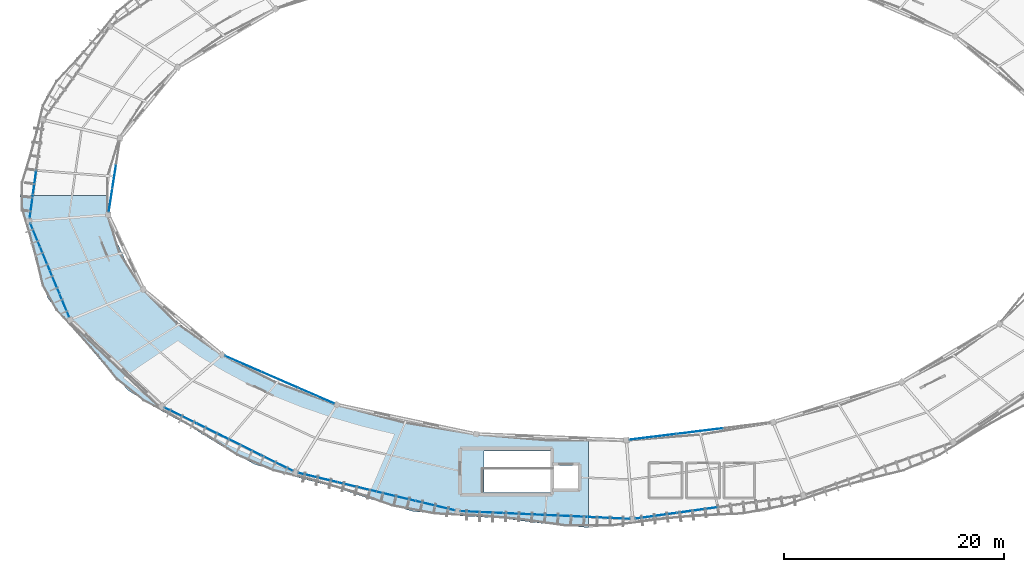
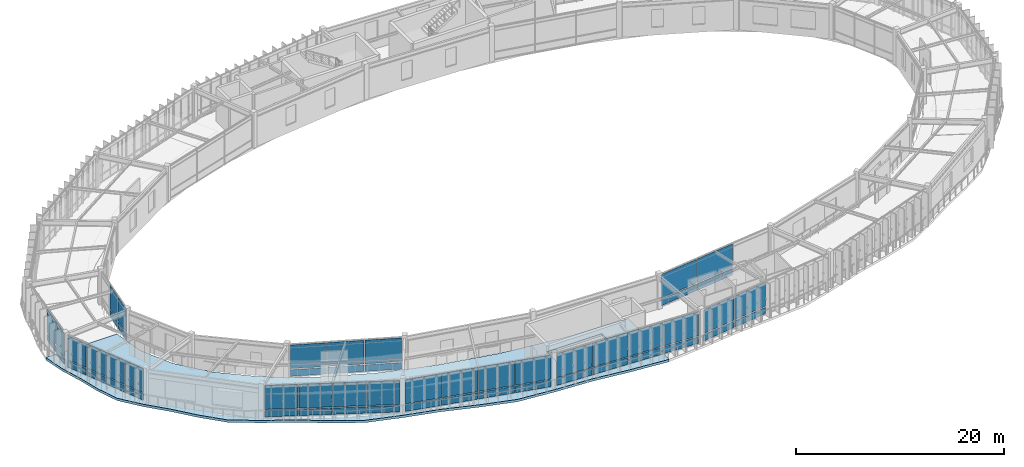
# One storey, part 64 of 78: 54 plates, 1 slab, 9 elements without a shape of their own.
"""IFC4 building model written with IfcOpenShell, lengths in metres."""

from ifc_helpers import new_model, si_unit, direction, frame, origin, origin_2d, place, context, subcontext, project, spatial, polyline, rectangle, outline, extrude, material, layer, layer_set, type_object, element, aggregate, save


model = new_model("IFC4")

# Units and contexts
model_context = context("Model", 3, precision=1e-05, world=origin(), true_north=direction((0.0, 1.0)))
body_context = subcontext(model_context, "Body", "Model", "MODEL_VIEW")
ifc_project = project(units=[si_unit("LENGTHUNIT", "METRE"), si_unit("AREAUNIT", "SQUARE_METRE"), si_unit("VOLUMEUNIT", "CUBIC_METRE"), si_unit("PLANEANGLEUNIT", "RADIAN"), si_unit("MASSUNIT", "GRAM", prefix="KILO"), si_unit("THERMODYNAMICTEMPERATUREUNIT", "KELVIN"), si_unit("POWERUNIT", "WATT")], contexts=[model_context])

# Site, building, storey
site_placement = place(None, origin())
site = spatial("IfcSite", under=ifc_project, at=site_placement, CompositionType="ELEMENT")
building_placement = place(site_placement, origin())
building = spatial("IfcBuilding", under=site, at=building_placement, Name="Darbajah Civic Hall", CompositionType="ELEMENT")
storey_placement = place(building_placement, frame((0.0, 0.0, 26.39990234375)))
storey = spatial("IfcBuildingStorey", under=building, at=storey_placement, Name="L06", CompositionType="ELEMENT", Elevation=26.39990234375)

# Curtain wall, plates
ifc_material_1 = material(Name="Anodised Bronze Aluminium and Low-E Glazing", Category="aluminium")
curtain_wall_type_1 = type_object("IfcCurtainWallType", Name="Unitised Curtain Wall CW-84 15400x3900", PredefinedType="USERDEFINED", material=ifc_material_1)
curtain_wall_1_placement = place(storey_placement, origin())
curtain_wall_1 = element("IfcCurtainWall", 1, at=curtain_wall_1_placement, inside=storey, type_object=curtain_wall_type_1, Name="L06 unitised curtain wall CW-V1O-L06-14", ObjectType="UNITISED CURTAIN WALL", PredefinedType="USERDEFINED")
ifc_material_2 = material(Name="Low-E Solar Control Double Glazing", Category="glass")
ifc_layer_1 = layer(ifc_material_2, 0.02392578125, Name="Low-E Solar Control Double Glazing")
ifc_layer_set_1 = layer_set([ifc_layer_1], Name="Low-E Solar Control Double Glazing")
plate_type_1 = type_object("IfcPlateType", Name="Solar Double Glazing 24mm", PredefinedType="CURTAIN_PANEL", material=ifc_layer_set_1)
plate_1_placement = place(storey_placement, frame((79.37158203125, 61.01611328125, 0.10009765625), z_axis=(0.0, 0.0, 1.0), x_axis=(0.998962637241, -0.045537340693, 0.0)))
plate_1 = element("IfcPlate", 2, at=plate_1_placement, type_object=plate_type_1, Name="CW-V1O-L06-14 glazed panel 1.1", PredefinedType="CURTAIN_PANEL", context=body_context, shape_type="SweptSolid", body=[
    extrude(rectangle(XDim=3.789794921875, YDim=0.02392578125, at=origin_2d()), origin(), (0.0, 0.0, 1.0), 0.800048828125),
])
plate_2_placement = place(storey_placement, frame((79.37158203125, 61.01611328125, 1.0), z_axis=(0.0, 0.0, 1.0), x_axis=(0.998962637241, -0.045537340693, 0.0)))
plate_2 = element("IfcPlate", 3, at=plate_2_placement, type_object=plate_type_1, Name="CW-V1O-L06-14 glazed panel 1.2", PredefinedType="CURTAIN_PANEL", context=body_context, shape_type="SweptSolid", body=[
    extrude(rectangle(XDim=3.789794921875, YDim=0.02392578125, at=origin_2d()), origin(), (0.0, 0.0, 1.0), 2.820068359375),
])
plate_3_placement = place(storey_placement, frame((83.222412109375, 60.840576171875, 0.10009765625), z_axis=(0.0, 0.0, 1.0), x_axis=(0.998962637241, -0.045537340693, 0.0)))
plate_3 = element("IfcPlate", 4, at=plate_3_placement, type_object=plate_type_1, Name="CW-V1O-L06-14 glazed panel 2.1", PredefinedType="CURTAIN_PANEL", context=body_context, shape_type="SweptSolid", body=[
    extrude(rectangle(XDim=3.789794921875, YDim=0.02392578125, at=origin_2d()), origin(), (0.0, 0.0, 1.0), 0.800048828125),
])
plate_4_placement = place(storey_placement, frame((83.222412109375, 60.840576171875, 1.0), z_axis=(0.0, 0.0, 1.0), x_axis=(0.998962637241, -0.045537340693, 0.0)))
plate_4 = element("IfcPlate", 5, at=plate_4_placement, type_object=plate_type_1, Name="CW-V1O-L06-14 glazed panel 2.2", PredefinedType="CURTAIN_PANEL", context=body_context, shape_type="SweptSolid", body=[
    extrude(rectangle(XDim=3.789794921875, YDim=0.02392578125, at=origin_2d()), origin(), (0.0, 0.0, 1.0), 2.820068359375),
])
plate_5_placement = place(storey_placement, frame((87.0732421875, 60.665283203125, 0.10009765625), z_axis=(0.0, 0.0, 1.0), x_axis=(0.998962637241, -0.045537340693, 0.0)))
plate_5 = element("IfcPlate", 6, at=plate_5_placement, type_object=plate_type_1, Name="CW-V1O-L06-14 glazed panel 3.1", PredefinedType="CURTAIN_PANEL", context=body_context, shape_type="SweptSolid", body=[
    extrude(rectangle(XDim=3.789794921875, YDim=0.02392578125, at=origin_2d()), origin(), (0.0, 0.0, 1.0), 0.800048828125),
])
plate_6_placement = place(storey_placement, frame((87.0732421875, 60.665283203125, 1.0), z_axis=(0.0, 0.0, 1.0), x_axis=(0.998962637241, -0.045537340693, 0.0)))
plate_6 = element("IfcPlate", 7, at=plate_6_placement, type_object=plate_type_1, Name="CW-V1O-L06-14 glazed panel 3.2", PredefinedType="CURTAIN_PANEL", context=body_context, shape_type="SweptSolid", body=[
    extrude(rectangle(XDim=3.789794921875, YDim=0.02392578125, at=origin_2d()), origin(), (0.0, 0.0, 1.0), 2.820068359375),
])
plate_7_placement = place(storey_placement, frame((90.92431640625, 60.489990234375, 0.10009765625), z_axis=(0.0, 0.0, 1.0), x_axis=(0.998962637241, -0.045537340693, 0.0)))
plate_7 = element("IfcPlate", 8, at=plate_7_placement, type_object=plate_type_1, Name="CW-V1O-L06-14 glazed panel 4.1", PredefinedType="CURTAIN_PANEL", context=body_context, shape_type="SweptSolid", body=[
    extrude(rectangle(XDim=3.789794921875, YDim=0.02392578125, at=origin_2d()), origin(), (0.0, 0.0, 1.0), 0.800048828125),
])
plate_8_placement = place(storey_placement, frame((90.92431640625, 60.489990234375, 1.0), z_axis=(0.0, 0.0, 1.0), x_axis=(0.998962637241, -0.045537340693, 0.0)))
plate_8 = element("IfcPlate", 9, at=plate_8_placement, type_object=plate_type_1, Name="CW-V1O-L06-14 glazed panel 4.2", PredefinedType="CURTAIN_PANEL", context=body_context, shape_type="SweptSolid", body=[
    extrude(rectangle(XDim=3.789794921875, YDim=0.02392578125, at=origin_2d()), origin(), (0.0, 0.0, 1.0), 2.820068359375),
])
aggregate(curtain_wall_1, [plate_1, plate_2, plate_3, plate_4, plate_5, plate_6, plate_7, plate_8])

curtain_wall_type_2 = type_object("IfcCurtainWallType", Name="Unitised Curtain Wall CW-70 6500x3900", PredefinedType="USERDEFINED", material=ifc_material_1)
curtain_wall_2_placement = place(storey_placement, origin())
curtain_wall_2 = element("IfcCurtainWall", 10, at=curtain_wall_2_placement, inside=storey, type_object=curtain_wall_type_2, Name="L06 unitised curtain wall CW-V1I-L06-09", ObjectType="UNITISED CURTAIN WALL", PredefinedType="USERDEFINED")
ifc_layer_2 = layer(ifc_material_2, 0.028076171875, Name="Low-E Solar Control Double Glazing")
ifc_layer_set_2 = layer_set([ifc_layer_2], Name="Low-E Solar Control Double Glazing")
plate_type_2 = type_object("IfcPlateType", Name="Solar Double Glazing 28mm", PredefinedType="CURTAIN_PANEL", material=ifc_layer_set_2)
plate_9_placement = place(storey_placement, frame((45.97265625, 91.528076171875, 0.1201171875), z_axis=(0.0, 0.0, 1.0), x_axis=(-0.152813355565, -0.98825506746, 0.0)))
plate_9 = element("IfcPlate", 11, at=plate_9_placement, type_object=plate_type_2, Name="CW-V1I-L06-09 glazed panel 2.1", PredefinedType="CURTAIN_PANEL", context=body_context, shape_type="SweptSolid", body=[
    extrude(rectangle(XDim=2.10791015625, YDim=0.028076171875, at=origin_2d()), origin(), (0.0, 0.0, 1.0), 0.77001953125),
])
plate_10_placement = place(storey_placement, frame((45.97265625, 91.528076171875, 1.010009765625), z_axis=(0.0, 0.0, 1.0), x_axis=(-0.152813355565, -0.98825506746, 0.0)))
plate_10 = element("IfcPlate", 12, at=plate_10_placement, type_object=plate_type_2, Name="CW-V1I-L06-09 glazed panel 2.2", PredefinedType="CURTAIN_PANEL", context=body_context, shape_type="SweptSolid", body=[
    extrude(rectangle(XDim=2.10791015625, YDim=0.028076171875, at=origin_2d()), origin(), (0.0, 0.0, 1.0), 2.7900390625),
])
plate_11_placement = place(storey_placement, frame((45.639892578125, 89.375732421875, 0.1201171875), z_axis=(0.0, 0.0, 1.0), x_axis=(-0.152813355565, -0.98825506746, 0.0)))
plate_11 = element("IfcPlate", 13, at=plate_11_placement, type_object=plate_type_2, Name="CW-V1I-L06-09 glazed panel 3.1", PredefinedType="CURTAIN_PANEL", context=body_context, shape_type="SweptSolid", body=[
    extrude(rectangle(XDim=2.10791015625, YDim=0.028076171875, at=origin_2d()), origin(), (0.0, 0.0, 1.0), 0.77001953125),
])
plate_12_placement = place(storey_placement, frame((45.639892578125, 89.375732421875, 1.010009765625), z_axis=(0.0, 0.0, 1.0), x_axis=(-0.152813355565, -0.98825506746, 0.0)))
plate_12 = element("IfcPlate", 14, at=plate_12_placement, type_object=plate_type_2, Name="CW-V1I-L06-09 glazed panel 3.2", PredefinedType="CURTAIN_PANEL", context=body_context, shape_type="SweptSolid", body=[
    extrude(rectangle(XDim=2.10791015625, YDim=0.028076171875, at=origin_2d()), origin(), (0.0, 0.0, 1.0), 2.7900390625),
])
aggregate(curtain_wall_2, [plate_9, plate_10, plate_11, plate_12])

curtain_wall_type_3 = type_object("IfcCurtainWallType", Name="Unitised Curtain Wall CW-82 9200x3900", PredefinedType="USERDEFINED", material=ifc_material_1)
curtain_wall_3_placement = place(storey_placement, origin())
curtain_wall_3 = element("IfcCurtainWall", 15, at=curtain_wall_3_placement, inside=storey, type_object=curtain_wall_type_3, Name="L06 unitised curtain wall CW-V1O-L06-10", ObjectType="UNITISED CURTAIN WALL", PredefinedType="USERDEFINED")
plate_13_placement = place(storey_placement, frame((38.795166015625, 86.189208984375, 0.1201171875), z_axis=(0.0, 0.0, 1.0), x_axis=(0.383328328644, -0.923612143954, 0.0)))
plate_13 = element("IfcPlate", 16, at=plate_13_placement, type_object=plate_type_2, Name="CW-V1O-L06-10 glazed panel 1.1", PredefinedType="CURTAIN_PANEL", context=body_context, shape_type="SweptSolid", body=[
    extrude(rectangle(XDim=2.2333984375, YDim=0.028076171875, at=origin_2d()), origin(), (0.0, 0.0, 1.0), 0.77001953125),
])
plate_14_placement = place(storey_placement, frame((38.795166015625, 86.189208984375, 1.010009765625), z_axis=(0.0, 0.0, 1.0), x_axis=(0.383328328644, -0.923612143954, 0.0)))
plate_14 = element("IfcPlate", 17, at=plate_14_placement, type_object=plate_type_2, Name="CW-V1O-L06-10 glazed panel 1.2", PredefinedType="CURTAIN_PANEL", context=body_context, shape_type="SweptSolid", body=[
    extrude(rectangle(XDim=2.2333984375, YDim=0.028076171875, at=origin_2d()), origin(), (0.0, 0.0, 1.0), 2.7900390625),
])
plate_15_placement = place(storey_placement, frame((39.67822265625, 84.061767578125, 0.1201171875), z_axis=(0.0, 0.0, 1.0), x_axis=(0.383328328644, -0.923612143954, 0.0)))
plate_15 = element("IfcPlate", 18, at=plate_15_placement, type_object=plate_type_2, Name="CW-V1O-L06-10 glazed panel 2.1", PredefinedType="CURTAIN_PANEL", context=body_context, shape_type="SweptSolid", body=[
    extrude(rectangle(XDim=2.2333984375, YDim=0.028076171875, at=origin_2d()), origin(), (0.0, 0.0, 1.0), 0.77001953125),
])
plate_16_placement = place(storey_placement, frame((39.67822265625, 84.061767578125, 1.010009765625), z_axis=(0.0, 0.0, 1.0), x_axis=(0.383328328644, -0.923612143954, 0.0)))
plate_16 = element("IfcPlate", 19, at=plate_16_placement, type_object=plate_type_2, Name="CW-V1O-L06-10 glazed panel 2.2", PredefinedType="CURTAIN_PANEL", context=body_context, shape_type="SweptSolid", body=[
    extrude(rectangle(XDim=2.2333984375, YDim=0.028076171875, at=origin_2d()), origin(), (0.0, 0.0, 1.0), 2.7900390625),
])
plate_17_placement = place(storey_placement, frame((40.56103515625, 81.9345703125, 0.1201171875), z_axis=(0.0, 0.0, 1.0), x_axis=(0.383328328644, -0.923612143954, 0.0)))
plate_17 = element("IfcPlate", 20, at=plate_17_placement, type_object=plate_type_2, Name="CW-V1O-L06-10 glazed panel 3.1", PredefinedType="CURTAIN_PANEL", context=body_context, shape_type="SweptSolid", body=[
    extrude(rectangle(XDim=2.2333984375, YDim=0.028076171875, at=origin_2d()), origin(), (0.0, 0.0, 1.0), 0.77001953125),
])
plate_18_placement = place(storey_placement, frame((40.56103515625, 81.9345703125, 1.010009765625), z_axis=(0.0, 0.0, 1.0), x_axis=(0.383328328644, -0.923612143954, 0.0)))
plate_18 = element("IfcPlate", 21, at=plate_18_placement, type_object=plate_type_2, Name="CW-V1O-L06-10 glazed panel 3.2", PredefinedType="CURTAIN_PANEL", context=body_context, shape_type="SweptSolid", body=[
    extrude(rectangle(XDim=2.2333984375, YDim=0.028076171875, at=origin_2d()), origin(), (0.0, 0.0, 1.0), 2.7900390625),
])
plate_19_placement = place(storey_placement, frame((41.444091796875, 79.80712890625, 0.1201171875), z_axis=(0.0, 0.0, 1.0), x_axis=(0.383328328644, -0.923612143954, 0.0)))
plate_19 = element("IfcPlate", 22, at=plate_19_placement, type_object=plate_type_2, Name="CW-V1O-L06-10 glazed panel 4.1", PredefinedType="CURTAIN_PANEL", context=body_context, shape_type="SweptSolid", body=[
    extrude(rectangle(XDim=2.2333984375, YDim=0.028076171875, at=origin_2d()), origin(), (0.0, 0.0, 1.0), 0.77001953125),
])
plate_20_placement = place(storey_placement, frame((41.444091796875, 79.80712890625, 1.010009765625), z_axis=(0.0, 0.0, 1.0), x_axis=(0.383328328644, -0.923612143954, 0.0)))
plate_20 = element("IfcPlate", 23, at=plate_20_placement, type_object=plate_type_2, Name="CW-V1O-L06-10 glazed panel 4.2", PredefinedType="CURTAIN_PANEL", context=body_context, shape_type="SweptSolid", body=[
    extrude(rectangle(XDim=2.2333984375, YDim=0.028076171875, at=origin_2d()), origin(), (0.0, 0.0, 1.0), 2.7900390625),
])
aggregate(curtain_wall_3, [plate_13, plate_14, plate_15, plate_16, plate_17, plate_18, plate_19, plate_20])

curtain_wall_type_4 = type_object("IfcCurtainWallType", Name="Unitised Curtain Wall CW-63 10900x3900", PredefinedType="USERDEFINED", material=ifc_material_1)
curtain_wall_4_placement = place(storey_placement, origin())
curtain_wall_4 = element("IfcCurtainWall", 24, at=curtain_wall_4_placement, inside=storey, type_object=curtain_wall_type_4, Name="L06 unitised curtain wall CW-V1I-L06-12", ObjectType="UNITISED CURTAIN WALL", PredefinedType="USERDEFINED")
plate_21_placement = place(storey_placement, frame((57.68505859375, 74.4951171875, 0.1201171875), z_axis=(0.0, 0.0, 1.0), x_axis=(0.917060074385, -0.398749068925, 0.0)))
plate_21 = element("IfcPlate", 25, at=plate_21_placement, type_object=plate_type_2, Name="CW-V1I-L06-12 glazed panel 1.1", PredefinedType="CURTAIN_PANEL", context=body_context, shape_type="SweptSolid", body=[
    extrude(rectangle(XDim=3.549560546875, YDim=0.028076171875, at=origin_2d()), origin(), (0.0, 0.0, 1.0), 0.77001953125),
])
plate_22_placement = place(storey_placement, frame((57.68505859375, 74.4951171875, 1.010009765625), z_axis=(0.0, 0.0, 1.0), x_axis=(0.917060074385, -0.398749068925, 0.0)))
plate_22 = element("IfcPlate", 26, at=plate_22_placement, type_object=plate_type_2, Name="CW-V1I-L06-12 glazed panel 1.2", PredefinedType="CURTAIN_PANEL", context=body_context, shape_type="SweptSolid", body=[
    extrude(rectangle(XDim=3.549560546875, YDim=0.028076171875, at=origin_2d()), origin(), (0.0, 0.0, 1.0), 2.7900390625),
])
plate_23_placement = place(storey_placement, frame((61.00439453125, 73.0517578125, 0.1201171875), z_axis=(0.0, 0.0, 1.0), x_axis=(0.917060074385, -0.398749068925, 0.0)))
plate_23 = element("IfcPlate", 27, at=plate_23_placement, type_object=plate_type_2, Name="CW-V1I-L06-12 glazed panel 2.1", PredefinedType="CURTAIN_PANEL", context=body_context, shape_type="SweptSolid", body=[
    extrude(rectangle(XDim=3.549560546875, YDim=0.028076171875, at=origin_2d()), origin(), (0.0, 0.0, 1.0), 0.77001953125),
])
plate_24_placement = place(storey_placement, frame((61.00439453125, 73.0517578125, 1.010009765625), z_axis=(0.0, 0.0, 1.0), x_axis=(0.917060074385, -0.398749068925, 0.0)))
plate_24 = element("IfcPlate", 28, at=plate_24_placement, type_object=plate_type_2, Name="CW-V1I-L06-12 glazed panel 2.2", PredefinedType="CURTAIN_PANEL", context=body_context, shape_type="SweptSolid", body=[
    extrude(rectangle(XDim=3.549560546875, YDim=0.028076171875, at=origin_2d()), origin(), (0.0, 0.0, 1.0), 2.7900390625),
])
plate_25_placement = place(storey_placement, frame((64.32373046875, 71.6083984375, 0.1201171875), z_axis=(0.0, 0.0, 1.0), x_axis=(0.917060074385, -0.398749068925, 0.0)))
plate_25 = element("IfcPlate", 29, at=plate_25_placement, type_object=plate_type_2, Name="CW-V1I-L06-12 glazed panel 3.1", PredefinedType="CURTAIN_PANEL", context=body_context, shape_type="SweptSolid", body=[
    extrude(rectangle(XDim=3.549560546875, YDim=0.028076171875, at=origin_2d()), origin(), (0.0, 0.0, 1.0), 0.77001953125),
])
plate_26_placement = place(storey_placement, frame((64.32373046875, 71.6083984375, 1.010009765625), z_axis=(0.0, 0.0, 1.0), x_axis=(0.917060074385, -0.398749068925, 0.0)))
plate_26 = element("IfcPlate", 30, at=plate_26_placement, type_object=plate_type_2, Name="CW-V1I-L06-12 glazed panel 3.2", PredefinedType="CURTAIN_PANEL", context=body_context, shape_type="SweptSolid", body=[
    extrude(rectangle(XDim=3.549560546875, YDim=0.028076171875, at=origin_2d()), origin(), (0.0, 0.0, 1.0), 2.7900390625),
])
aggregate(curtain_wall_4, [plate_21, plate_22, plate_23, plate_24, plate_25, plate_26])

curtain_wall_type_5 = type_object("IfcCurtainWallType", Name="Unitised Curtain Wall CW-90 14700x3900", PredefinedType="USERDEFINED", material=ifc_material_1)
curtain_wall_5_placement = place(storey_placement, origin())
curtain_wall_5 = element("IfcCurtainWall", 31, at=curtain_wall_5_placement, inside=storey, type_object=curtain_wall_type_5, Name="L06 unitised curtain wall CW-V1O-L06-13", ObjectType="UNITISED CURTAIN WALL", PredefinedType="USERDEFINED")
plate_27_placement = place(storey_placement, frame((64.47900390625, 64.16162109375, 0.1201171875), z_axis=(0.0, 0.0, 1.0), x_axis=(0.972492018808, -0.232936200179, 0.0)))
plate_27 = element("IfcPlate", 32, at=plate_27_placement, type_object=plate_type_2, Name="CW-V1O-L06-13 glazed panel 1.1", PredefinedType="CURTAIN_PANEL", context=body_context, shape_type="SweptSolid", body=[
    extrude(rectangle(XDim=3.59375, YDim=0.028076171875, at=origin_2d()), origin(), (0.0, 0.0, 1.0), 0.77001953125),
])
plate_28_placement = place(storey_placement, frame((64.47900390625, 64.16162109375, 1.010009765625), z_axis=(0.0, 0.0, 1.0), x_axis=(0.972492018808, -0.232936200179, 0.0)))
plate_28 = element("IfcPlate", 33, at=plate_28_placement, type_object=plate_type_2, Name="CW-V1O-L06-13 glazed panel 1.2", PredefinedType="CURTAIN_PANEL", context=body_context, shape_type="SweptSolid", body=[
    extrude(rectangle(XDim=3.59375, YDim=0.028076171875, at=origin_2d()), origin(), (0.0, 0.0, 1.0), 2.7900390625),
])
plate_29_placement = place(storey_placement, frame((68.0419921875, 63.307861328125, 0.1201171875), z_axis=(0.0, 0.0, 1.0), x_axis=(0.972492018808, -0.232936200179, 0.0)))
plate_29 = element("IfcPlate", 34, at=plate_29_placement, type_object=plate_type_2, Name="CW-V1O-L06-13 glazed panel 2.1", PredefinedType="CURTAIN_PANEL", context=body_context, shape_type="SweptSolid", body=[
    extrude(rectangle(XDim=3.59375, YDim=0.028076171875, at=origin_2d()), origin(), (0.0, 0.0, 1.0), 0.77001953125),
])
plate_30_placement = place(storey_placement, frame((68.0419921875, 63.307861328125, 1.010009765625), z_axis=(0.0, 0.0, 1.0), x_axis=(0.972492018808, -0.232936200179, 0.0)))
plate_30 = element("IfcPlate", 35, at=plate_30_placement, type_object=plate_type_2, Name="CW-V1O-L06-13 glazed panel 2.2", PredefinedType="CURTAIN_PANEL", context=body_context, shape_type="SweptSolid", body=[
    extrude(rectangle(XDim=3.59375, YDim=0.028076171875, at=origin_2d()), origin(), (0.0, 0.0, 1.0), 2.7900390625),
])
plate_31_placement = place(storey_placement, frame((71.60498046875, 62.454345703125, 0.1201171875), z_axis=(0.0, 0.0, 1.0), x_axis=(0.972492018808, -0.232936200179, 0.0)))
plate_31 = element("IfcPlate", 36, at=plate_31_placement, type_object=plate_type_2, Name="CW-V1O-L06-13 glazed panel 3.1", PredefinedType="CURTAIN_PANEL", context=body_context, shape_type="SweptSolid", body=[
    extrude(rectangle(XDim=3.59375, YDim=0.028076171875, at=origin_2d()), origin(), (0.0, 0.0, 1.0), 0.77001953125),
])
plate_32_placement = place(storey_placement, frame((71.60498046875, 62.454345703125, 1.010009765625), z_axis=(0.0, 0.0, 1.0), x_axis=(0.972492018808, -0.232936200179, 0.0)))
plate_32 = element("IfcPlate", 37, at=plate_32_placement, type_object=plate_type_2, Name="CW-V1O-L06-13 glazed panel 3.2", PredefinedType="CURTAIN_PANEL", context=body_context, shape_type="SweptSolid", body=[
    extrude(rectangle(XDim=3.59375, YDim=0.028076171875, at=origin_2d()), origin(), (0.0, 0.0, 1.0), 2.7900390625),
])
plate_33_placement = place(storey_placement, frame((75.167724609375, 61.6005859375, 0.1201171875), z_axis=(0.0, 0.0, 1.0), x_axis=(0.972492018808, -0.232936200179, 0.0)))
plate_33 = element("IfcPlate", 38, at=plate_33_placement, type_object=plate_type_2, Name="CW-V1O-L06-13 glazed panel 4.1", PredefinedType="CURTAIN_PANEL", context=body_context, shape_type="SweptSolid", body=[
    extrude(rectangle(XDim=3.59375, YDim=0.028076171875, at=origin_2d()), origin(), (0.0, 0.0, 1.0), 0.77001953125),
])
plate_34_placement = place(storey_placement, frame((75.167724609375, 61.6005859375, 1.010009765625), z_axis=(0.0, 0.0, 1.0), x_axis=(0.972492018808, -0.232936200179, 0.0)))
plate_34 = element("IfcPlate", 39, at=plate_34_placement, type_object=plate_type_2, Name="CW-V1O-L06-13 glazed panel 4.2", PredefinedType="CURTAIN_PANEL", context=body_context, shape_type="SweptSolid", body=[
    extrude(rectangle(XDim=3.59375, YDim=0.028076171875, at=origin_2d()), origin(), (0.0, 0.0, 1.0), 2.7900390625),
])
aggregate(curtain_wall_5, [plate_27, plate_28, plate_29, plate_30, plate_31, plate_32, plate_33, plate_34])

curtain_wall_type_6 = type_object("IfcCurtainWallType", Name="Unitised Curtain Wall CW-73 12900x3900", PredefinedType="USERDEFINED", material=ifc_material_1)
curtain_wall_6_placement = place(storey_placement, origin())
curtain_wall_6 = element("IfcCurtainWall", 40, at=curtain_wall_6_placement, inside=storey, type_object=curtain_wall_type_6, Name="L06 unitised curtain wall CW-V1I-L06-15", ObjectType="UNITISED CURTAIN WALL", PredefinedType="USERDEFINED")
plate_35_placement = place(storey_placement, frame((94.924072265625, 67.860595703125, 0.1201171875), z_axis=(0.0, 0.0, 1.0), x_axis=(0.992609826221, 0.121349630774, 0.0)))
plate_35 = element("IfcPlate", 41, at=plate_35_placement, type_object=plate_type_2, Name="CW-V1I-L06-15 glazed panel 1.1", PredefinedType="CURTAIN_PANEL", context=body_context, shape_type="SweptSolid", body=[
    extrude(rectangle(XDim=4.23681640625, YDim=0.028076171875, at=origin_2d()), origin(), (0.0, 0.0, 1.0), 0.77001953125),
])
plate_36_placement = place(storey_placement, frame((94.924072265625, 67.860595703125, 1.010009765625), z_axis=(0.0, 0.0, 1.0), x_axis=(0.992609826221, 0.121349630774, 0.0)))
plate_36 = element("IfcPlate", 42, at=plate_36_placement, type_object=plate_type_2, Name="CW-V1I-L06-15 glazed panel 1.2", PredefinedType="CURTAIN_PANEL", context=body_context, shape_type="SweptSolid", body=[
    extrude(rectangle(XDim=4.23681640625, YDim=0.028076171875, at=origin_2d()), origin(), (0.0, 0.0, 1.0), 2.7900390625),
])
plate_37_placement = place(storey_placement, frame((99.198974609375, 68.383056640625, 0.1201171875), z_axis=(0.0, 0.0, 1.0), x_axis=(0.992609826221, 0.121349630774, 0.0)))
plate_37 = element("IfcPlate", 43, at=plate_37_placement, type_object=plate_type_2, Name="CW-V1I-L06-15 glazed panel 2.1", PredefinedType="CURTAIN_PANEL", context=body_context, shape_type="SweptSolid", body=[
    extrude(rectangle(XDim=4.23681640625, YDim=0.028076171875, at=origin_2d()), origin(), (0.0, 0.0, 1.0), 0.77001953125),
])
plate_38_placement = place(storey_placement, frame((99.198974609375, 68.383056640625, 1.010009765625), z_axis=(0.0, 0.0, 1.0), x_axis=(0.992609826221, 0.121349630774, 0.0)))
plate_38 = element("IfcPlate", 44, at=plate_38_placement, type_object=plate_type_2, Name="CW-V1I-L06-15 glazed panel 2.2", PredefinedType="CURTAIN_PANEL", context=body_context, shape_type="SweptSolid", body=[
    extrude(rectangle(XDim=4.23681640625, YDim=0.028076171875, at=origin_2d()), origin(), (0.0, 0.0, 1.0), 2.7900390625),
])
aggregate(curtain_wall_6, [plate_35, plate_36, plate_37, plate_38])

curtain_wall_type_7 = type_object("IfcCurtainWallType", Name="Unitised Curtain Wall CW-89 8800x3900", PredefinedType="USERDEFINED", material=ifc_material_1)
curtain_wall_7_placement = place(storey_placement, origin())
curtain_wall_7 = element("IfcCurtainWall", 45, at=curtain_wall_7_placement, inside=storey, type_object=curtain_wall_type_7, Name="L06 unitised curtain wall CW-V1O-L06-09", ObjectType="UNITISED CURTAIN WALL", PredefinedType="USERDEFINED")
ifc_layer_3 = layer(ifc_material_2, 0.031982421875, Name="Low-E Solar Control Double Glazing")
ifc_layer_set_3 = layer_set([ifc_layer_3], Name="Low-E Solar Control Double Glazing")
plate_type_3 = type_object("IfcPlateType", Name="Solar Double Glazing 32mm", PredefinedType="CURTAIN_PANEL", material=ifc_layer_set_3)
plate_39_placement = place(storey_placement, frame((38.735107421875, 90.998291015625, 0.14013671875), z_axis=(0.0, 0.0, 1.0), x_axis=(-0.134850930274, -0.990865897387, 0.0)))
plate_39 = element("IfcPlate", 46, at=plate_39_placement, type_object=plate_type_3, Name="CW-V1O-L06-09 glazed panel 3.1", PredefinedType="CURTAIN_PANEL", context=body_context, shape_type="SweptSolid", body=[
    extrude(rectangle(XDim=2.12060546875, YDim=0.031982421875, at=origin_2d()), origin(), (0.0, 0.0, 1.0), 0.739990234375),
])
plate_40_placement = place(storey_placement, frame((38.735107421875, 90.998291015625, 1.02001953125), z_axis=(0.0, 0.0, 1.0), x_axis=(-0.134850930274, -0.990865897387, 0.0)))
plate_40 = element("IfcPlate", 47, at=plate_40_placement, type_object=plate_type_3, Name="CW-V1O-L06-09 glazed panel 3.2", PredefinedType="CURTAIN_PANEL", context=body_context, shape_type="SweptSolid", body=[
    extrude(rectangle(XDim=2.12060546875, YDim=0.031982421875, at=origin_2d()), origin(), (0.0, 0.0, 1.0), 2.760009765625),
])
plate_41_placement = place(storey_placement, frame((38.439208984375, 88.822998046875, 0.14013671875), z_axis=(0.0, 0.0, 1.0), x_axis=(-0.134850930274, -0.990865897387, 0.0)))
plate_41 = element("IfcPlate", 48, at=plate_41_placement, type_object=plate_type_3, Name="CW-V1O-L06-09 glazed panel 4.1", PredefinedType="CURTAIN_PANEL", context=body_context, shape_type="SweptSolid", body=[
    extrude(rectangle(XDim=2.12060546875, YDim=0.031982421875, at=origin_2d()), origin(), (0.0, 0.0, 1.0), 0.739990234375),
])
plate_42_placement = place(storey_placement, frame((38.439208984375, 88.822998046875, 1.02001953125), z_axis=(0.0, 0.0, 1.0), x_axis=(-0.134850930274, -0.990865897387, 0.0)))
plate_42 = element("IfcPlate", 49, at=plate_42_placement, type_object=plate_type_3, Name="CW-V1O-L06-09 glazed panel 4.2", PredefinedType="CURTAIN_PANEL", context=body_context, shape_type="SweptSolid", body=[
    extrude(rectangle(XDim=2.12060546875, YDim=0.031982421875, at=origin_2d()), origin(), (0.0, 0.0, 1.0), 2.760009765625),
])
aggregate(curtain_wall_7, [plate_39, plate_40, plate_41, plate_42])

curtain_wall_type_8 = type_object("IfcCurtainWallType", Name="Unitised Curtain Wall CW-83 13000x3900", PredefinedType="USERDEFINED", material=ifc_material_1)
curtain_wall_8_placement = place(storey_placement, origin())
curtain_wall_8 = element("IfcCurtainWall", 50, at=curtain_wall_8_placement, inside=storey, type_object=curtain_wall_type_8, Name="L06 unitised curtain wall CW-V1O-L06-12", ObjectType="UNITISED CURTAIN WALL", PredefinedType="USERDEFINED")
plate_43_placement = place(storey_placement, frame((52.00537109375, 69.808349609375, 0.14013671875), z_axis=(0.0, 0.0, 1.0), x_axis=(0.89656374724, -0.442914717678, 0.0)))
plate_43 = element("IfcPlate", 51, at=plate_43_placement, type_object=plate_type_3, Name="CW-V1O-L06-12 glazed panel 1.1", PredefinedType="CURTAIN_PANEL", context=body_context, shape_type="SweptSolid", body=[
    extrude(rectangle(XDim=3.182373046875, YDim=0.031982421875, at=origin_2d()), origin(), (0.0, 0.0, 1.0), 0.739990234375),
])
plate_44_placement = place(storey_placement, frame((52.00537109375, 69.808349609375, 1.02001953125), z_axis=(0.0, 0.0, 1.0), x_axis=(0.89656374724, -0.442914717678, 0.0)))
plate_44 = element("IfcPlate", 52, at=plate_44_placement, type_object=plate_type_3, Name="CW-V1O-L06-12 glazed panel 1.2", PredefinedType="CURTAIN_PANEL", context=body_context, shape_type="SweptSolid", body=[
    extrude(rectangle(XDim=3.182373046875, YDim=0.031982421875, at=origin_2d()), origin(), (0.0, 0.0, 1.0), 2.760009765625),
])
plate_45_placement = place(storey_placement, frame((54.92578125, 68.365478515625, 0.14013671875), z_axis=(0.0, 0.0, 1.0), x_axis=(0.89656374724, -0.442914717678, 0.0)))
plate_45 = element("IfcPlate", 53, at=plate_45_placement, type_object=plate_type_3, Name="CW-V1O-L06-12 glazed panel 2.1", PredefinedType="CURTAIN_PANEL", context=body_context, shape_type="SweptSolid", body=[
    extrude(rectangle(XDim=3.182373046875, YDim=0.031982421875, at=origin_2d()), origin(), (0.0, 0.0, 1.0), 0.739990234375),
])
plate_46_placement = place(storey_placement, frame((54.92578125, 68.365478515625, 1.02001953125), z_axis=(0.0, 0.0, 1.0), x_axis=(0.89656374724, -0.442914717678, 0.0)))
plate_46 = element("IfcPlate", 54, at=plate_46_placement, type_object=plate_type_3, Name="CW-V1O-L06-12 glazed panel 2.2", PredefinedType="CURTAIN_PANEL", context=body_context, shape_type="SweptSolid", body=[
    extrude(rectangle(XDim=3.182373046875, YDim=0.031982421875, at=origin_2d()), origin(), (0.0, 0.0, 1.0), 2.760009765625),
])
plate_47_placement = place(storey_placement, frame((57.84619140625, 66.9228515625, 0.14013671875), z_axis=(0.0, 0.0, 1.0), x_axis=(0.89656374724, -0.442914717678, 0.0)))
plate_47 = element("IfcPlate", 55, at=plate_47_placement, type_object=plate_type_3, Name="CW-V1O-L06-12 glazed panel 3.1", PredefinedType="CURTAIN_PANEL", context=body_context, shape_type="SweptSolid", body=[
    extrude(rectangle(XDim=3.182373046875, YDim=0.031982421875, at=origin_2d()), origin(), (0.0, 0.0, 1.0), 0.739990234375),
])
plate_48_placement = place(storey_placement, frame((57.84619140625, 66.9228515625, 1.02001953125), z_axis=(0.0, 0.0, 1.0), x_axis=(0.89656374724, -0.442914717678, 0.0)))
plate_48 = element("IfcPlate", 56, at=plate_48_placement, type_object=plate_type_3, Name="CW-V1O-L06-12 glazed panel 3.2", PredefinedType="CURTAIN_PANEL", context=body_context, shape_type="SweptSolid", body=[
    extrude(rectangle(XDim=3.182373046875, YDim=0.031982421875, at=origin_2d()), origin(), (0.0, 0.0, 1.0), 2.760009765625),
])
plate_49_placement = place(storey_placement, frame((60.7666015625, 65.47998046875, 0.14013671875), z_axis=(0.0, 0.0, 1.0), x_axis=(0.89656374724, -0.442914717678, 0.0)))
plate_49 = element("IfcPlate", 57, at=plate_49_placement, type_object=plate_type_3, Name="CW-V1O-L06-12 glazed panel 4.1", PredefinedType="CURTAIN_PANEL", context=body_context, shape_type="SweptSolid", body=[
    extrude(rectangle(XDim=3.182373046875, YDim=0.031982421875, at=origin_2d()), origin(), (0.0, 0.0, 1.0), 0.739990234375),
])
plate_50_placement = place(storey_placement, frame((60.7666015625, 65.47998046875, 1.02001953125), z_axis=(0.0, 0.0, 1.0), x_axis=(0.89656374724, -0.442914717678, 0.0)))
plate_50 = element("IfcPlate", 58, at=plate_50_placement, type_object=plate_type_3, Name="CW-V1O-L06-12 glazed panel 4.2", PredefinedType="CURTAIN_PANEL", context=body_context, shape_type="SweptSolid", body=[
    extrude(rectangle(XDim=3.182373046875, YDim=0.031982421875, at=origin_2d()), origin(), (0.0, 0.0, 1.0), 2.760009765625),
])
aggregate(curtain_wall_8, [plate_43, plate_44, plate_45, plate_46, plate_47, plate_48, plate_49, plate_50])

curtain_wall_type_9 = type_object("IfcCurtainWallType", Name="Unitised Curtain Wall CW-91 15200x3900", PredefinedType="USERDEFINED", material=ifc_material_1)
curtain_wall_9_placement = place(storey_placement, origin())
curtain_wall_9 = element("IfcCurtainWall", 59, at=curtain_wall_9_placement, inside=storey, type_object=curtain_wall_type_9, Name="L06 unitised curtain wall CW-V1O-L06-15", ObjectType="UNITISED CURTAIN WALL", PredefinedType="USERDEFINED")
plate_51_placement = place(storey_placement, frame((95.22802734375, 60.686279296875, 0.14013671875), z_axis=(0.0, 0.0, 1.0), x_axis=(0.990485459553, 0.137617420457, 0.0)))
plate_51 = element("IfcPlate", 60, at=plate_51_placement, type_object=plate_type_3, Name="CW-V1O-L06-15 glazed panel 1.1", PredefinedType="CURTAIN_PANEL", context=body_context, shape_type="SweptSolid", body=[
    extrude(rectangle(XDim=3.715087890625, YDim=0.031982421875, at=origin_2d()), origin(), (0.0, 0.0, 1.0), 0.739990234375),
])
plate_52_placement = place(storey_placement, frame((95.22802734375, 60.686279296875, 1.02001953125), z_axis=(0.0, 0.0, 1.0), x_axis=(0.990485459553, 0.137617420457, 0.0)))
plate_52 = element("IfcPlate", 61, at=plate_52_placement, type_object=plate_type_3, Name="CW-V1O-L06-15 glazed panel 1.2", PredefinedType="CURTAIN_PANEL", context=body_context, shape_type="SweptSolid", body=[
    extrude(rectangle(XDim=3.715087890625, YDim=0.031982421875, at=origin_2d()), origin(), (0.0, 0.0, 1.0), 2.760009765625),
])
plate_53_placement = place(storey_placement, frame((98.982177734375, 61.20751953125, 0.14013671875), z_axis=(0.0, 0.0, 1.0), x_axis=(0.990485459553, 0.137617420457, 0.0)))
plate_53 = element("IfcPlate", 62, at=plate_53_placement, type_object=plate_type_3, Name="CW-V1O-L06-15 glazed panel 2.1", PredefinedType="CURTAIN_PANEL", context=body_context, shape_type="SweptSolid", body=[
    extrude(rectangle(XDim=3.715087890625, YDim=0.031982421875, at=origin_2d()), origin(), (0.0, 0.0, 1.0), 0.739990234375),
])
plate_54_placement = place(storey_placement, frame((98.982177734375, 61.20751953125, 1.02001953125), z_axis=(0.0, 0.0, 1.0), x_axis=(0.990485459553, 0.137617420457, 0.0)))
plate_54 = element("IfcPlate", 63, at=plate_54_placement, type_object=plate_type_3, Name="CW-V1O-L06-15 glazed panel 2.2", PredefinedType="CURTAIN_PANEL", context=body_context, shape_type="SweptSolid", body=[
    extrude(rectangle(XDim=3.715087890625, YDim=0.031982421875, at=origin_2d()), origin(), (0.0, 0.0, 1.0), 2.760009765625),
])
aggregate(curtain_wall_9, [plate_51, plate_52, plate_53, plate_54])

# Slab
ifc_material_3 = material(Name="Concrete C45/55", Category="concrete")
ifc_layer_4 = layer(ifc_material_3, 0.280029296875, Name="Concrete C45/55")
ifc_layer_set_4 = layer_set([ifc_layer_4], Name="Concrete C45/55")
slab_type = type_object("IfcSlabType", Name="Structural Floor Slab 280mm", PredefinedType="FLOOR", material=ifc_layer_set_4)
slab_placement = place(storey_placement, frame((0.0, 0.0, -0.27978515625)))
element("IfcSlab", 64, at=slab_placement, inside=storey, type_object=slab_type, Name="L06 Oval Administration Ring SW floor slab", PredefinedType="FLOOR", context=body_context, shape_type="SweptSolid", body=[
    extrude(outline(polyline([(37.406982421875, 89.800048828125), (37.83837890625, 87.452392578125), (38.530517578125, 85.15380859375), (39.1005859375, 82.815185546875), (39.93701171875, 80.4697265625), (41.593994140625, 78.35009765625), (43.48046875, 76.31640625), (45.257080078125, 74.166748046875), (47.279541015625, 72.052978515625), (50.0, 70.368408203125), (52.89599609375, 68.798828125), (55.705322265625, 67.048583984375), (58.715576171875, 65.373291015625), (62.233154296875, 64.2890625), (65.855712890625, 63.337158203125), (69.42236328125, 62.157470703125), (73.1259765625, 61.084716796875), (77.09619140625, 60.706787109375), (81.090576171875, 60.4658203125), (85.065673828125, 59.97216796875), (89.10009765625, 59.60693359375), (89.10009765625, 67.52001953125), (82.251220703125, 67.794189453125), (75.5712890625, 68.610595703125), (69.224365234375, 69.948486328125), (63.36669921875, 71.775146484375), (58.142822265625, 74.045654296875), (53.68115234375, 76.7041015625), (50.091796875, 79.68505859375), (47.462646484375, 82.9150390625), (45.85888671875, 86.314697265625), (45.320068359375, 89.800048828125), (37.406982421875, 89.800048828125)]), holes=[polyline([(79.580078125, 66.580078125), (85.659912109375, 66.580078125), (85.659912109375, 62.820068359375), (79.580078125, 62.820068359375), (79.580078125, 66.580078125)]), polyline([(85.949951171875, 65.25), (88.14990234375, 65.25), (88.14990234375, 63.14990234375), (85.949951171875, 63.14990234375), (85.949951171875, 65.25)])]), origin(), (0.0, 0.0, 1.0), 0.27978515625),
])

save(model, "model.ifc")
